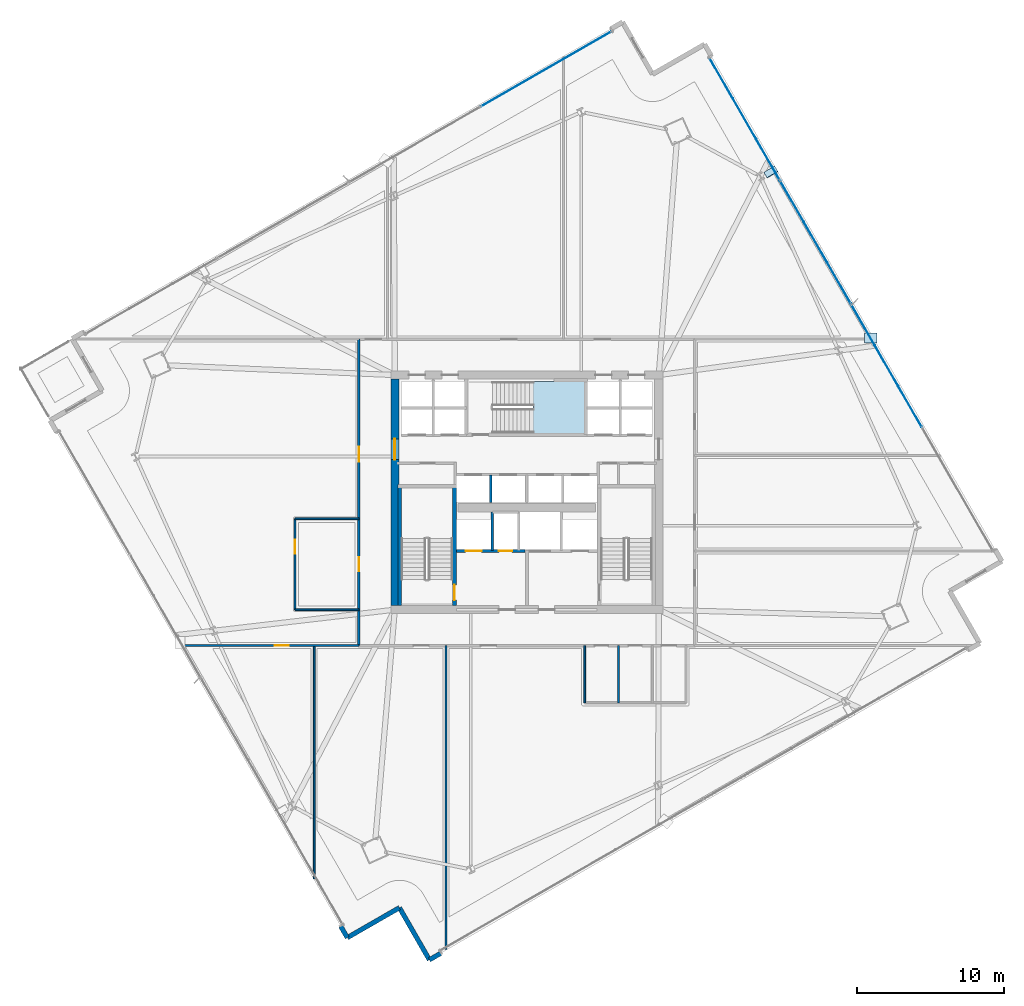
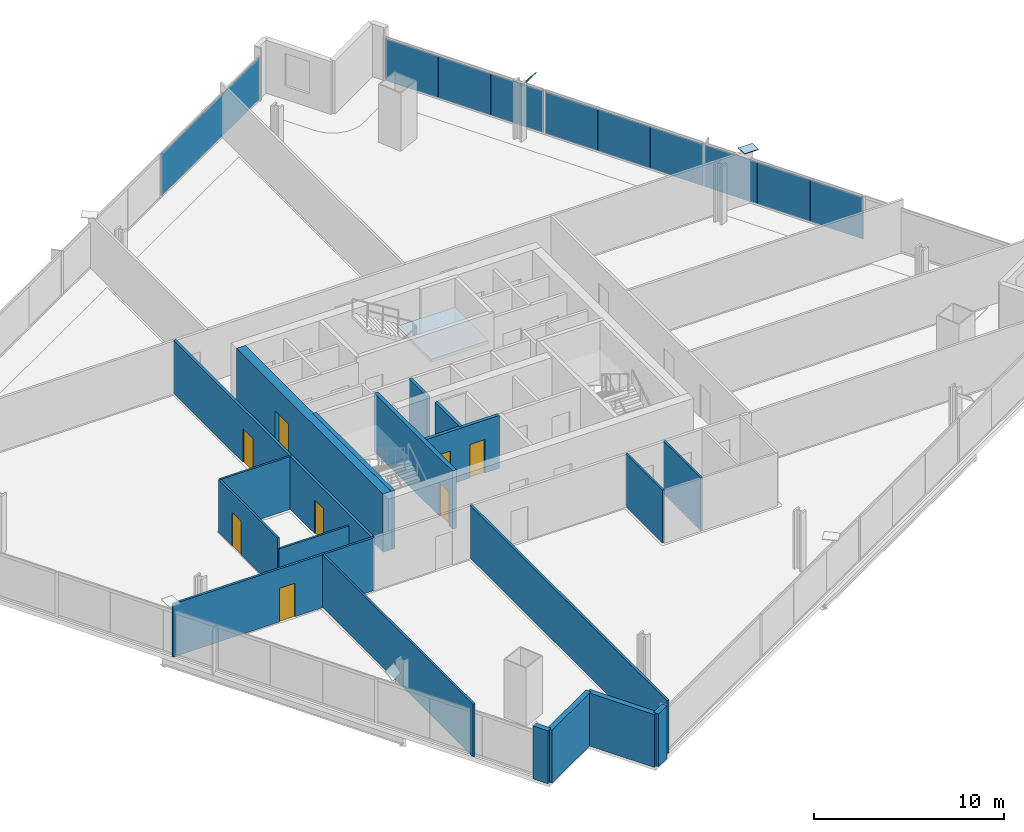
# One storey, part 23 of 33: 19 walls, 12 plates, 8 doors, 1 slab, 8 openings, 3 elements without a shape of their own.
"""IFC4 building model written with IfcOpenShell, lengths in metres."""

from ifc_helpers import new_model, si_unit, direction, frame, frame_2d, origin, origin_2d, place, context, subcontext, project, spatial, polyline, rectangle, outline, extrude, source, transform, mapped, material, layer, layer_set, type_object, element, fill, aggregate, save


model = new_model("IFC4")

# Units and contexts
model_context = context("Model", 3, precision=1e-05, world=origin(), true_north=direction((0.0, 1.0)))
body_context = subcontext(model_context, "Body", "Model", "MODEL_VIEW")
ifc_project = project(units=[si_unit("LENGTHUNIT", "METRE"), si_unit("AREAUNIT", "SQUARE_METRE"), si_unit("VOLUMEUNIT", "CUBIC_METRE"), si_unit("PLANEANGLEUNIT", "RADIAN"), si_unit("MASSUNIT", "GRAM", prefix="KILO")], contexts=[model_context])

# Site, building, storey
site_placement = place(None, origin())
site = spatial("IfcSite", under=ifc_project, at=site_placement, CompositionType="ELEMENT")
building_placement = place(site_placement, origin())
building = spatial("IfcBuilding", under=site, at=building_placement, Name="Haldenkirk Collegiate Tower", CompositionType="ELEMENT")
storey_placement = place(building_placement, frame((0.0, 0.0, 127.949951171875)))
storey = spatial("IfcBuildingStorey", under=building, at=storey_placement, Name="L31", CompositionType="ELEMENT", Elevation=127.949951171875)

# Stair, slab
ifc_material_1 = material(Name="Concrete f'c 40 MPa", Category="concrete")
stair_type = type_object("IfcStairType", Name="STR-DOGLEG-1650", PredefinedType="HALF_TURN_STAIR", material=ifc_material_1)
stair_placement = place(storey_placement, origin())
stair = element("IfcStair", 1, at=stair_placement, inside=storey, type_object=stair_type, Name="L31 Core Exit Stair ST-3", PredefinedType="HALF_TURN_STAIR")
ifc_layer_1 = layer(ifc_material_1, 0.199951171875)
ifc_layer_set_1 = layer_set([ifc_layer_1], Name="Concrete f'c 40 MPa")
slab_type = type_object("IfcSlabType", Name="SLB-LANDING-200", PredefinedType="LANDING", material=ifc_layer_set_1)
slab_placement = place(storey_placement, frame((0.0, 0.0, 1.675048828125)))
slab = element("IfcSlab", 2, at=slab_placement, type_object=slab_type, Name="ST-3 landing 1", PredefinedType="LANDING", context=body_context, shape_type="SweptSolid", body=[
    extrude(outline(polyline([(36.425048828125, 30.02490234375), (36.425048828125, 33.574951171875), (39.925048828125, 33.574951171875), (39.925048828125, 30.02490234375), (36.425048828125, 30.02490234375)])), origin(), (0.0, 0.0, 1.0), 0.199951171875),
])
aggregate(stair, [slab])

# Plates
ifc_material_2 = material(Name="Steel ASTM A572 Grade 50", Category="steel")
ifc_layer_2 = layer(ifc_material_2, 0.034912109375)
ifc_layer_set_2 = layer_set([ifc_layer_2], Name="Steel ASTM A572 Grade 50")
plate_type_1 = type_object("IfcPlateType", Name="PLT-CAP-EXT-760X600", PredefinedType="USERDEFINED", material=ifc_layer_set_2)
shared_shape_1 = source(origin(), body_context, "Body", "SweptSolid", [
    extrude(rectangle(XDim=0.860107421875, YDim=0.659912109375, at=origin_2d()), origin(), (0.0, 0.0, 1.0), 0.034912109375),
])
for number, where, z_axis, x_axis, name in (
    (3, (59.4638671875, 36.523681640625, 3.38720703125), (0.009017000292, 0.009624000312, 0.99991303238), (0.999959346026, -8.6783142e-05, -0.009016582665), "Perimeter Mega Brace Z2 L29-L31 EL end cap plate 2"),
    (4, (52.654296875, 47.834716796875, 3.38818359375), (-0.386815088251, 0.658394150212, 0.645671147309), (-0.862206412051, -0.50655710736, -3.30097e-07), "Perimeter Mega Brace Z2 L29-L31 ER end cap plate 2"),
):
    element("IfcPlate", number, at=place(storey_placement, frame(where, z_axis=z_axis, x_axis=x_axis)), inside=storey, type_object=plate_type_1, Name=name, ObjectType="END CAP PLATE", PredefinedType="USERDEFINED", context=body_context, shape_type="MappedRepresentation", body=[
        mapped(shared_shape_1, transform((0.0, 0.0, 0.0), x_axis=(1.0, 0.0, 0.0), y_axis=(0.0, 1.0, 0.0), z_axis=(0.0, 0.0, 1.0), scale=1.0)),
    ])

# Curtain wall, plates
ifc_material_3 = material(Name="Anodised architectural bronze aluminium", Category="aluminium")
curtain_wall_type = type_object("IfcCurtainWallType", Name="CW-SYS1-CONVEX-LOW", PredefinedType="USERDEFINED", material=ifc_material_3)
curtain_wall_1_placement = place(storey_placement, origin())
curtain_wall_1 = element("IfcCurtainWall", 5, at=curtain_wall_1_placement, inside=storey, type_object=curtain_wall_type, Name="L31 Lower tower convex bronze-framed unitised curtain wall", ObjectType="UNITISED CURTAIN WALL", PredefinedType="USERDEFINED")
ifc_material_4 = material(Name="Low-E argon triple insulating glass", Category="glass")
ifc_layer_3 = layer(ifc_material_4, 0.0439453125)
ifc_layer_set_3 = layer_set([ifc_layer_3], Name="Low-E argon triple insulating glass")
plate_type_2 = type_object("IfcPlateType", Name="CW-PNL-1A", PredefinedType="CURTAIN_PANEL", material=ifc_layer_set_3)
shared_shape_2 = source(origin(), body_context, "Body", "SweptSolid", [
    extrude(rectangle(XDim=3.18701171875, YDim=0.0439453125, at=origin_2d()), origin(), (0.0, 0.0, 1.0), 2.69091796875),
])
plate_1_placement = place(storey_placement, frame((49.25537109375, 54.243408203125, 0.080078125), z_axis=(0.0, 0.0, 1.0), x_axis=(0.498489586061, -0.866895687259, 0.0)))
plate_1 = element("IfcPlate", 6, at=plate_1_placement, type_object=plate_type_2, Name="CW-1A panel 1.1a", PredefinedType="CURTAIN_PANEL", context=body_context, shape_type="MappedRepresentation", body=[
    mapped(shared_shape_2, transform((0.0, 0.0, 0.0), x_axis=(1.0, 0.0, 0.0), y_axis=(0.0, 1.0, 0.0), z_axis=(0.0, 0.0, 1.0), scale=1.0)),
])
ifc_material_5 = material(Name="Bronze-anodised insulated aluminium spandrel panel", Category="aluminium")
ifc_layer_4 = layer(ifc_material_5, 0.0439453125)
ifc_layer_set_4 = layer_set([ifc_layer_4], Name="Bronze-anodised insulated aluminium spandrel panel")
plate_type_3 = type_object("IfcPlateType", Name="CW-SPD-1A", PredefinedType="CURTAIN_PANEL", material=ifc_layer_set_4)
plate_2_placement = place(storey_placement, frame((52.451416015625, 48.685302734375, 0.080078125), z_axis=(0.0, 0.0, 1.0), x_axis=(0.498489586061, -0.866895687259, 0.0)))
plate_2 = element("IfcPlate", 7, at=plate_2_placement, type_object=plate_type_3, Name="CW-1A spandrel panel 1.1c", PredefinedType="CURTAIN_PANEL", context=body_context, shape_type="MappedRepresentation", body=[
    mapped(shared_shape_2, transform((0.0, 0.0, 0.0), x_axis=(1.0, 0.0, 0.0), y_axis=(0.0, 1.0, 0.0), z_axis=(0.0, 0.0, 1.0), scale=1.0)),
])
shared_shape_3 = source(origin(), body_context, "Body", "SweptSolid", [
    extrude(rectangle(XDim=3.174560546875, YDim=0.0439453125, at=origin_2d()), origin(), (0.0, 0.0, 1.0), 2.69091796875),
])
plate_3_placement = place(storey_placement, frame((50.853515625, 51.46435546875, 0.080078125), z_axis=(0.0, 0.0, 1.0), x_axis=(0.498489586061, -0.866895687259, 0.0)))
plate_3 = element("IfcPlate", 8, at=plate_3_placement, type_object=plate_type_2, Name="CW-1A panel 1.1b", PredefinedType="CURTAIN_PANEL", context=body_context, shape_type="MappedRepresentation", body=[
    mapped(shared_shape_3, transform((0.0, 0.0, 0.0), x_axis=(1.0, 0.0, 0.0), y_axis=(0.0, 1.0, 0.0), z_axis=(0.0, 0.0, 1.0), scale=1.0)),
])
shared_shape_4 = source(origin(), body_context, "Body", "SweptSolid", [
    extrude(rectangle(XDim=3.200439453125, YDim=0.0439453125, at=origin_2d()), origin(), (0.0, 0.0, 1.0), 2.69091796875),
])
plate_4_placement = place(storey_placement, frame((54.08349609375, 45.84716796875, 0.080078125), z_axis=(0.0, 0.0, 1.0), x_axis=(0.498489586061, -0.866895687259, 0.0)))
plate_4 = element("IfcPlate", 9, at=plate_4_placement, type_object=plate_type_3, Name="CW-1A spandrel panel 2.1a", PredefinedType="CURTAIN_PANEL", context=body_context, shape_type="MappedRepresentation", body=[
    mapped(shared_shape_4, transform((0.0, 0.0, 0.0), x_axis=(1.0, 0.0, 0.0), y_axis=(0.0, 1.0, 0.0), z_axis=(0.0, 0.0, 1.0), scale=1.0)),
])
plate_5_placement = place(storey_placement, frame((57.29296875, 40.265869140625, 0.080078125), z_axis=(0.0, 0.0, 1.0), x_axis=(0.498489586061, -0.866895687259, 0.0)))
plate_5 = element("IfcPlate", 10, at=plate_5_placement, type_object=plate_type_2, Name="CW-1A panel 2.1c", PredefinedType="CURTAIN_PANEL", context=body_context, shape_type="MappedRepresentation", body=[
    mapped(shared_shape_4, transform((0.0, 0.0, 0.0), x_axis=(1.0, 0.0, 0.0), y_axis=(0.0, 1.0, 0.0), z_axis=(0.0, 0.0, 1.0), scale=1.0)),
])
plate_6_placement = place(storey_placement, frame((58.927978515625, 37.422119140625, 0.080078125), z_axis=(0.0, 0.0, 1.0), x_axis=(0.498489586061, -0.866895687259, 0.0)))
plate_6 = element("IfcPlate", 11, at=plate_6_placement, type_object=plate_type_3, Name="CW-1A spandrel panel 3.1a", PredefinedType="CURTAIN_PANEL", context=body_context, shape_type="MappedRepresentation", body=[
    mapped(shared_shape_4, transform((0.0, 0.0, 0.0), x_axis=(1.0, 0.0, 0.0), y_axis=(0.0, 1.0, 0.0), z_axis=(0.0, 0.0, 1.0), scale=1.0)),
])
plate_7_placement = place(storey_placement, frame((62.1376953125, 31.840576171875, 0.080078125), z_axis=(0.0, 0.0, 1.0), x_axis=(0.498489586061, -0.866895687259, 0.0)))
plate_7 = element("IfcPlate", 12, at=plate_7_placement, type_object=plate_type_2, Name="CW-1A panel 3.1c", PredefinedType="CURTAIN_PANEL", context=body_context, shape_type="MappedRepresentation", body=[
    mapped(shared_shape_4, transform((0.0, 0.0, 0.0), x_axis=(1.0, 0.0, 0.0), y_axis=(0.0, 1.0, 0.0), z_axis=(0.0, 0.0, 1.0), scale=1.0)),
])
shared_shape_5 = source(origin(), body_context, "Body", "SweptSolid", [
    extrude(rectangle(XDim=3.18798828125, YDim=0.0439453125, at=origin_2d()), origin(), (0.0, 0.0, 1.0), 2.69091796875),
])
plate_8_placement = place(storey_placement, frame((55.688232421875, 43.056396484375, 0.080078125), z_axis=(0.0, 0.0, 1.0), x_axis=(0.498489586061, -0.866895687259, 0.0)))
plate_8 = element("IfcPlate", 13, at=plate_8_placement, type_object=plate_type_3, Name="CW-1A spandrel panel 2.1b", PredefinedType="CURTAIN_PANEL", context=body_context, shape_type="MappedRepresentation", body=[
    mapped(shared_shape_5, transform((0.0, 0.0, 0.0), x_axis=(1.0, 0.0, 0.0), y_axis=(0.0, 1.0, 0.0), z_axis=(0.0, 0.0, 1.0), scale=1.0)),
])
plate_9_placement = place(storey_placement, frame((60.53271484375, 34.63134765625, 0.080078125), z_axis=(0.0, 0.0, 1.0), x_axis=(0.498489586061, -0.866895687259, 0.0)))
plate_9 = element("IfcPlate", 14, at=plate_9_placement, type_object=plate_type_2, Name="CW-1A panel 3.1b", PredefinedType="CURTAIN_PANEL", context=body_context, shape_type="MappedRepresentation", body=[
    mapped(shared_shape_5, transform((0.0, 0.0, 0.0), x_axis=(1.0, 0.0, 0.0), y_axis=(0.0, 1.0, 0.0), z_axis=(0.0, 0.0, 1.0), scale=1.0)),
])
aggregate(curtain_wall_1, [plate_1, plate_3, plate_2, plate_4, plate_8, plate_5, plate_6, plate_9, plate_7])

# Curtain wall, plate
curtain_wall_2_placement = place(storey_placement, origin())
curtain_wall_2 = element("IfcCurtainWall", 15, at=curtain_wall_2_placement, inside=storey, type_object=curtain_wall_type, Name="L31 Lower tower convex bronze-framed unitised curtain wall", ObjectType="UNITISED CURTAIN WALL", PredefinedType="USERDEFINED")
shared_shape_6 = source(origin(), body_context, "Body", "SweptSolid", [
    extrude(rectangle(XDim=10.2548828125, YDim=0.0439453125, at=origin_2d()), origin(), (0.0, 0.0, 1.0), 2.69091796875),
])
plate_10_placement = place(storey_placement, frame((37.325439453125, 54.8740234375, 0.080078125), z_axis=(0.0, 0.0, 1.0), x_axis=(0.866896046355, 0.498488961578, 0.0)))
plate_10 = element("IfcPlate", 16, at=plate_10_placement, type_object=plate_type_2, Name="CW-1A panel 4.1", PredefinedType="CURTAIN_PANEL", context=body_context, shape_type="MappedRepresentation", body=[
    mapped(shared_shape_6, transform((0.0, 0.0, 0.0), x_axis=(1.0, 0.0, 0.0), y_axis=(0.0, 1.0, 0.0), z_axis=(0.0, 0.0, 1.0), scale=1.0)),
])
aggregate(curtain_wall_2, [plate_10])

# Wall, opening, door
ifc_material_6 = material(Name="Concrete f'c 70 MPa", Category="concrete")
ifc_layer_5 = layer(ifc_material_6, 0.550048828125)
ifc_layer_set_5 = layer_set([ifc_layer_5], Name="Concrete f'c 70 MPa")
wall_type_1 = type_object("IfcWallType", Name="WL-CORE-550", PredefinedType="SHEAR", material=ifc_layer_set_5)
wall_1_placement = place(storey_placement, frame((27.0, 18.27490234375, 0.0), z_axis=(0.0, 0.0, 1.0), x_axis=(0.0, 1.0, 0.0)))
wall_1 = element("IfcWall", 17, at=wall_1_placement, inside=storey, type_object=wall_type_1, Name="L31 central core shear wall W", PredefinedType="SHEAR", context=body_context, shape_type="SweptSolid", body=[
    extrude(rectangle(XDim=15.4501953125, YDim=0.550048828125, at=frame_2d((7.72509765625, 0.0))), origin(), (0.0, 0.0, 1.0), 3.75),
])
opening_1_placement = place(wall_1_placement, frame((9.965087890625, 0.0, 0.0)))
opening_1 = element("IfcOpeningElement", 18, at=opening_1_placement, cuts=wall_1, Name="Opening D-03", PredefinedType="OPENING", context=body_context, shape_type="SweptSolid", body=[
    extrude(rectangle(XDim=1.39990234375, YDim=2.199951171875, at=frame_2d((0.699951171875, 1.10009765625))), frame((0.0, 0.284912109375, 0.0), z_axis=(0.0, -1.0, 0.0), x_axis=(1.0, 0.0, 0.0)), (0.0, 0.0, 1.0), 0.570068359375),
])
ifc_material_7 = material(Name="Galvanized fire-rated hollow steel door", Category="steel")
ifc_layer_6 = layer(ifc_material_7, 0.06005859375)
ifc_layer_set_6 = layer_set([ifc_layer_6], Name="Galvanized fire-rated hollow steel door")
door_type_1 = type_object("IfcDoorType", Name="DR-LOBBY-FD90-1400", OperationType="NOTDEFINED", PredefinedType="DOOR", material=ifc_layer_set_6)
door_1_placement = place(opening_1_placement, origin())
door_1 = element("IfcDoor", 19, at=door_1_placement, inside=storey, type_object=door_type_1, Name="L31 west lift lobby portal", OperationType="DOUBLE_DOOR_SINGLE_SWING", OverallHeight=2.199951171875, OverallWidth=1.39990234375, PredefinedType="DOOR", context=body_context, shape_type="SweptSolid", body=[
    extrude(rectangle(XDim=1.39990234375, YDim=2.199951171875, at=frame_2d((0.699951171875, 1.10009765625))), frame((0.0, 0.02490234375, 0.0), z_axis=(0.0, -1.0, 0.0), x_axis=(1.0, 0.0, 0.0)), (0.0, 0.0, 1.0), 0.050048828125),
])
fill(opening_1, door_1)

# Walls
ifc_material_8 = material(Name="Precast concrete f'c 40 MPa", Category="concrete")
ifc_layer_7 = layer(ifc_material_8, 0.320068359375)
ifc_layer_set_7 = layer_set([ifc_layer_7], Name="Precast concrete f'c 40 MPa")
wall_type_2 = type_object("IfcWallType", Name="WL-EXT-TWR-320", PredefinedType="STANDARD", material=ifc_layer_set_7)
wall_2_placement = place(storey_placement, frame((30.1376953125, -5.430908203125, 0.0), z_axis=(0.0, 0.0, 1.0), x_axis=(-0.866988348512, -0.498328409329, 0.0)))
element("IfcWall", 20, at=wall_2_placement, inside=storey, type_object=wall_type_2, Name="L31 precast corner pier SR", PredefinedType="STANDARD", context=body_context, shape_type="SweptSolid", body=[
    extrude(rectangle(XDim=0.89990234375, YDim=0.320068359375, at=frame_2d((0.449951171875, 0.0))), origin(), (0.0, 0.0, 1.0), 3.400146484375),
])
wall_3_placement = place(storey_placement, frame((23.75927734375, -4.368896484375, 0.0), z_axis=(0.0, 0.0, 1.0), x_axis=(-0.498445634445, 0.866920959201, 0.0)))
element("IfcWall", 21, at=wall_3_placement, inside=storey, type_object=wall_type_2, Name="L31 precast corner pier WL", PredefinedType="STANDARD", context=body_context, shape_type="SweptSolid", body=[
    extrude(rectangle(XDim=0.899658203125, YDim=0.320068359375, at=frame_2d((0.44970703125, 0.0))), origin(), (0.0, 0.0, 1.0), 3.400146484375),
])
wall_4_placement = place(storey_placement, frame((27.313720703125, -2.3251953125, 0.0), z_axis=(0.0, 0.0, 1.0), x_axis=(-0.866917238564, -0.498452105503, 0.0)))
element("IfcWall", 22, at=wall_4_placement, inside=storey, type_object=wall_type_2, Name="L31 bronze precast notch wall 11", PredefinedType="STANDARD", context=body_context, shape_type="SweptSolid", body=[
    extrude(rectangle(XDim=4.10009765625, YDim=0.320068359375, at=frame_2d((2.050048828125, 0.0))), origin(), (0.0, 0.0, 1.0), 3.400146484375),
])
wall_5_placement = place(storey_placement, frame((29.357421875, -5.87939453125, 0.0), z_axis=(0.0, 0.0, 1.0), x_axis=(-0.498477837049, 0.866902443168, 0.0)))
element("IfcWall", 23, at=wall_5_placement, inside=storey, type_object=wall_type_2, Name="L31 bronze precast notch wall 12", PredefinedType="STANDARD", context=body_context, shape_type="SweptSolid", body=[
    extrude(rectangle(XDim=4.099853515625, YDim=0.320068359375, at=frame_2d((2.0498046875, 0.0))), origin(), (0.0, 0.0, 1.0), 3.400146484375),
])

# Wall, openings, doors
ifc_material_9 = material(Name="Acoustic fire-rated gypsum partition", Category="concrete")
ifc_layer_8 = layer(ifc_material_9, 0.159912109375)
ifc_layer_set_8 = layer_set([ifc_layer_8], Name="Acoustic fire-rated gypsum partition")
wall_type_3 = type_object("IfcWallType", Name="WL-INT-CORR-160", PredefinedType="PARTITIONING", material=ifc_layer_set_8)
wall_6_placement = place(storey_placement, frame((24.550048828125, 15.550048828125, 0.0), z_axis=(0.0, 0.0, 1.0), x_axis=(0.0, 1.0, 0.0)))
wall_6 = element("IfcWall", 24, at=wall_6_placement, inside=storey, type_object=wall_type_3, Name="L31 interior partition IW-L31-CW", PredefinedType="PARTITIONING", context=body_context, shape_type="SweptSolid", body=[
    extrude(rectangle(XDim=20.89990234375, YDim=0.159912109375, at=frame_2d((10.449951171875, 0.0))), origin(), (0.0, 0.0, 1.0), 3.400146484375),
])
opening_2_placement = place(wall_6_placement, frame((5.074951171875, 0.0, 0.0)))
opening_2 = element("IfcOpeningElement", 25, at=opening_2_placement, cuts=wall_6, Name="Opening D-10", PredefinedType="OPENING", context=body_context, shape_type="SweptSolid", body=[
    extrude(rectangle(XDim=0.949951171875, YDim=2.14990234375, at=frame_2d((0.47509765625, 1.074951171875))), frame((0.0, 0.08984375, 0.0), z_axis=(0.0, -1.0, 0.0), x_axis=(1.0, 0.0, 0.0)), (0.0, 0.0, 1.0), 0.179931640625),
])
opening_3_placement = place(wall_6_placement, frame((12.52392578125, 0.0, 0.0)))
opening_3 = element("IfcOpeningElement", 26, at=opening_3_placement, cuts=wall_6, Name="Opening D-09", PredefinedType="OPENING", context=body_context, shape_type="SweptSolid", body=[
    extrude(rectangle(XDim=1.050048828125, YDim=2.14990234375, at=frame_2d((0.52490234375, 1.074951171875))), frame((0.0, 0.08984375, 0.0), z_axis=(0.0, -1.0, 0.0), x_axis=(1.0, 0.0, 0.0)), (0.0, 0.0, 1.0), 0.179931640625),
])
ifc_material_10 = material(Name="Solid-core architectural oak fire door", Category="wood")
ifc_layer_9 = layer(ifc_material_10, 0.06005859375)
ifc_layer_set_9 = layer_set([ifc_layer_9], Name="Solid-core architectural oak fire door")
door_type_2 = type_object("IfcDoorType", Name="DR-INT-FD60-1050", OperationType="NOTDEFINED", PredefinedType="DOOR", material=ifc_layer_set_9)
door_2_placement = place(opening_3_placement, origin())
door_2 = element("IfcDoor", 27, at=door_2_placement, inside=storey, type_object=door_type_2, Name="L31 Student Wellness Clinic 7 door", OperationType="SINGLE_SWING_RIGHT", OverallHeight=2.14990234375, OverallWidth=1.050048828125, PredefinedType="DOOR", context=body_context, shape_type="SweptSolid", body=[
    extrude(rectangle(XDim=1.050048828125, YDim=2.14990234375, at=frame_2d((0.52490234375, 1.074951171875))), frame((0.0, 0.02490234375, 0.0), z_axis=(0.0, -1.0, 0.0), x_axis=(1.0, 0.0, 0.0)), (0.0, 0.0, 1.0), 0.050048828125),
])
fill(opening_3, door_2)
ifc_layer_10 = layer(ifc_material_10, 0.06005859375)
ifc_layer_set_10 = layer_set([ifc_layer_10], Name="Solid-core architectural oak fire door")
door_type_3 = type_object("IfcDoorType", Name="DR-INT-FD60-950", OperationType="NOTDEFINED", PredefinedType="DOOR", material=ifc_layer_set_10)
door_3_placement = place(opening_2_placement, origin())
door_3 = element("IfcDoor", 28, at=door_3_placement, inside=storey, type_object=door_type_3, Name="L31 West Faculty Tutorial Pod corridor door", OperationType="SINGLE_SWING_RIGHT", OverallHeight=2.14990234375, OverallWidth=0.949951171875, PredefinedType="DOOR", context=body_context, shape_type="SweptSolid", body=[
    extrude(rectangle(XDim=0.949951171875, YDim=2.14990234375, at=frame_2d((0.47509765625, 1.074951171875))), frame((0.0, 0.02490234375, 0.0), z_axis=(0.0, -1.0, 0.0), x_axis=(1.0, 0.0, 0.0)), (0.0, 0.0, 1.0), 0.050048828125),
])
fill(opening_2, door_3)

# Wall, opening, door
ifc_layer_11 = layer(ifc_material_9, 0.139892578125)
ifc_layer_set_11 = layer_set([ifc_layer_11], Name="Acoustic fire-rated gypsum partition")
wall_type_4 = type_object("IfcWallType", Name="WL-INT-DIV-140", PredefinedType="PARTITIONING", material=ifc_layer_set_11)
wall_7_placement = place(storey_placement, frame((12.3515625, 15.550048828125, 0.0), z_axis=(0.0, 0.0, 1.0), x_axis=(1.0, 0.0, 0.0)))
wall_7 = element("IfcWall", 29, at=wall_7_placement, inside=storey, type_object=wall_type_4, Name="L31 interior partition IW-L31-BWS", PredefinedType="PARTITIONING", context=body_context, shape_type="SweptSolid", body=[
    extrude(rectangle(XDim=12.198486328125, YDim=0.139892578125, at=frame_2d((6.09912109375, 0.0))), origin(), (0.0, 0.0, 1.0), 3.400146484375),
])
opening_4_placement = place(wall_7_placement, frame((6.46044921875, 0.0, 0.0)))
opening_4 = element("IfcOpeningElement", 30, at=opening_4_placement, cuts=wall_7, Name="Opening D-12", PredefinedType="OPENING", context=body_context, shape_type="SweptSolid", body=[
    extrude(rectangle(XDim=0.949951171875, YDim=2.14990234375, at=frame_2d((0.47509765625, 1.074951171875))), frame((0.0, 0.079833984375, 0.0), z_axis=(0.0, -1.0, 0.0), x_axis=(1.0, 0.0, 0.0)), (0.0, 0.0, 1.0), 0.159912109375),
])
ifc_layer_12 = layer(ifc_material_10, 0.06005859375)
ifc_layer_set_12 = layer_set([ifc_layer_12], Name="Solid-core architectural oak fire door")
door_type_4 = type_object("IfcDoorType", Name="DR-INT-STD-950", OperationType="NOTDEFINED", PredefinedType="DOOR", material=ifc_layer_set_12)
door_4_placement = place(opening_4_placement, origin())
door_4 = element("IfcDoor", 31, at=door_4_placement, inside=storey, type_object=door_type_4, Name="L31 Student Wellness Clinic 1 door", OperationType="SINGLE_SWING_RIGHT", OverallHeight=2.14990234375, OverallWidth=0.949951171875, PredefinedType="DOOR", context=body_context, shape_type="SweptSolid", body=[
    extrude(rectangle(XDim=0.949951171875, YDim=2.14990234375, at=frame_2d((0.47509765625, 1.074951171875))), frame((0.0, 0.02490234375, 0.0), z_axis=(0.0, -1.0, 0.0), x_axis=(1.0, 0.0, 0.0)), (0.0, 0.0, 1.0), 0.050048828125),
])
fill(opening_4, door_4)

# Walls
wall_8_placement = place(storey_placement, frame((30.5, -5.17626953125, 0.0), z_axis=(0.0, 0.0, 1.0), x_axis=(0.0, 1.0, 0.0)))
element("IfcWall", 32, at=wall_8_placement, inside=storey, type_object=wall_type_4, Name="L31 interior partition IW-L31-RS2", PredefinedType="PARTITIONING", context=body_context, shape_type="SweptSolid", body=[
    extrude(rectangle(XDim=20.726318359375, YDim=0.139892578125, at=frame_2d((10.36328125, 0.0))), origin(), (0.0, 0.0, 1.0), 3.400146484375),
])
ifc_material_11 = material(Name="Fire-rated gypsum shaftboard assembly", Category="concrete")
ifc_layer_13 = layer(ifc_material_11, 0.179931640625)
ifc_layer_set_13 = layer_set([ifc_layer_13], Name="Fire-rated gypsum shaftboard assembly")
wall_type_5 = type_object("IfcWallType", Name="WL-INT-SHAFT-180", PredefinedType="PARTITIONING", material=ifc_layer_set_13)
wall_9_placement = place(storey_placement, frame((33.64990234375, 22.050048828125, 0.0), z_axis=(0.0, 0.0, 1.0), x_axis=(0.0, 1.0, 0.0)))
element("IfcWall", 33, at=wall_9_placement, inside=storey, type_object=wall_type_5, Name="L31 interior partition IW-L31-FL1E", PredefinedType="PARTITIONING", context=body_context, shape_type="SweptSolid", body=[
    extrude(rectangle(XDim=2.599853515625, YDim=0.179931640625, at=frame_2d((1.2998046875, 0.0))), origin(), (0.0, 0.0, 1.0), 3.400146484375),
])
wall_10_placement = place(storey_placement, frame((33.5400390625, 25.300048828125, 0.0), z_axis=(0.0, 0.0, 1.0), x_axis=(0.0, 1.0, 0.0)))
element("IfcWall", 34, at=wall_10_placement, inside=storey, type_object=wall_type_5, Name="L31 interior partition IW-L31-PHV1", PredefinedType="PARTITIONING", context=body_context, shape_type="SweptSolid", body=[
    extrude(rectangle(XDim=1.89990234375, YDim=0.179931640625, at=frame_2d((0.949951171875, 0.0))), origin(), (0.0, 0.0, 1.0), 3.400146484375),
])

# Wall, openings, doors
ifc_layer_14 = layer(ifc_material_11, 0.199951171875)
ifc_layer_set_14 = layer_set([ifc_layer_14], Name="Fire-rated gypsum shaftboard assembly")
wall_type_6 = type_object("IfcWallType", Name="WL-INT-SHAFT-200", PredefinedType="PARTITIONING", material=ifc_layer_set_14)
wall_11_placement = place(storey_placement, frame((31.18994140625, 22.0, 0.0), z_axis=(0.0, 0.0, 1.0), x_axis=(1.0, 0.0, 0.0)))
wall_11 = element("IfcWall", 35, at=wall_11_placement, inside=storey, type_object=wall_type_6, Name="L31 interior partition IW-L31-FFL1N", PredefinedType="PARTITIONING", context=body_context, shape_type="SweptSolid", body=[
    extrude(rectangle(XDim=4.68994140625, YDim=0.199951171875, at=frame_2d((2.344970703125, 0.0))), origin(), (0.0, 0.0, 1.0), 3.400146484375),
])
opening_5_placement = place(wall_11_placement, frame((2.909912109375, 0.0, 0.0)))
opening_5 = element("IfcOpeningElement", 36, at=opening_5_placement, cuts=wall_11, Name="Opening D-06", PredefinedType="OPENING", context=body_context, shape_type="SweptSolid", body=[
    extrude(rectangle(XDim=0.89990234375, YDim=2.14990234375, at=frame_2d((0.449951171875, 1.074951171875))), frame((0.0, 0.10986328125, 0.0), z_axis=(0.0, -1.0, 0.0), x_axis=(1.0, 0.0, 0.0)), (0.0, 0.0, 1.0), 0.219970703125),
])
opening_6_placement = place(wall_11_placement, frame((0.635009765625, 0.0, 0.0)))
opening_6 = element("IfcOpeningElement", 37, at=opening_6_placement, cuts=wall_11, Name="Opening LD-12", PredefinedType="OPENING", context=body_context, shape_type="SweptSolid", body=[
    extrude(rectangle(XDim=1.10009765625, YDim=2.14990234375, at=frame_2d((0.550048828125, 1.074951171875))), frame((0.0, 0.10986328125, 0.0), z_axis=(0.0, -1.0, 0.0), x_axis=(1.0, 0.0, 0.0)), (0.0, 0.0, 1.0), 0.219970703125),
])
ifc_layer_15 = layer(ifc_material_7, 0.06005859375)
ifc_layer_set_15 = layer_set([ifc_layer_15], Name="Galvanized fire-rated hollow steel door")
door_type_5 = type_object("IfcDoorType", Name="DR-INT-FD90-900", OperationType="NOTDEFINED", PredefinedType="DOOR", material=ifc_layer_set_15)
door_5_placement = place(opening_5_placement, origin())
door_5 = element("IfcDoor", 38, at=door_5_placement, inside=storey, type_object=door_type_5, Name="L31 electrical riser door", OperationType="SINGLE_SWING_RIGHT", OverallHeight=2.14990234375, OverallWidth=0.89990234375, PredefinedType="DOOR", context=body_context, shape_type="SweptSolid", body=[
    extrude(rectangle(XDim=0.89990234375, YDim=2.14990234375, at=frame_2d((0.449951171875, 1.074951171875))), frame((0.0, 0.02490234375, 0.0), z_axis=(0.0, -1.0, 0.0), x_axis=(1.0, 0.0, 0.0)), (0.0, 0.0, 1.0), 0.050048828125),
])
fill(opening_5, door_5)
ifc_material_12 = material(Name="Brushed architectural stainless steel", Category="steel")
ifc_layer_16 = layer(ifc_material_12, 0.06005859375)
ifc_layer_set_16 = layer_set([ifc_layer_16], Name="Brushed architectural stainless steel")
door_type_6 = type_object("IfcDoorType", Name="LD-FIRE-1100", OperationType="NOTDEFINED", PredefinedType="DOOR", material=ifc_layer_set_16)
door_6_placement = place(opening_6_placement, origin())
door_6 = element("IfcDoor", 39, at=door_6_placement, inside=storey, type_object=door_type_6, Name="L31 Elevator FL1 sliding landing door", OperationType="SLIDING_TO_LEFT", OverallHeight=2.14990234375, OverallWidth=1.10009765625, PredefinedType="DOOR", context=body_context, shape_type="SweptSolid", body=[
    extrude(rectangle(XDim=1.10009765625, YDim=2.14990234375, at=frame_2d((0.550048828125, 1.074951171875))), frame((0.0, 0.02490234375, 0.0), z_axis=(0.0, -1.0, 0.0), x_axis=(1.0, 0.0, 0.0)), (0.0, 0.0, 1.0), 0.050048828125),
])
fill(opening_6, door_6)

# Walls
ifc_layer_17 = layer(ifc_material_9, 0.1201171875)
ifc_layer_set_17 = layer_set([ifc_layer_17], Name="Acoustic fire-rated gypsum partition")
wall_type_7 = type_object("IfcWallType", Name="WL-INT-WET-120", PredefinedType="PARTITIONING", material=ifc_layer_set_17)
for number, where, z_axis, x_axis, name in (
    (40, (39.949951171875, 11.64990234375, 0.0), (0.0, 0.0, 1.0), (0.0, 1.0, 0.0), "L31 interior partition IW-L31-WCW"),
    (41, (42.25, 11.64990234375, 0.0), (0.0, 0.0, 1.0), (0.0, 1.0, 0.0), "L31 interior partition IW-L31-WC1"),
):
    element("IfcWall", number, at=place(storey_placement, frame(where, z_axis=z_axis, x_axis=x_axis)), inside=storey, type_object=wall_type_7, Name=name, PredefinedType="PARTITIONING", context=body_context, shape_type="SweptSolid", body=[
        extrude(rectangle(XDim=3.900146484375, YDim=0.1201171875, at=frame_2d((1.9501953125, 0.0))), origin(), (0.0, 0.0, 1.0), 3.400146484375),
    ])
wall_12_placement = place(storey_placement, frame((21.5, -0.359619140625, 0.0), z_axis=(0.0, 0.0, 1.0), x_axis=(0.0, 1.0, 0.0)))
element("IfcWall", 42, at=wall_12_placement, inside=storey, type_object=wall_type_7, Name="L31 interior partition IW-L31-RS1", PredefinedType="PARTITIONING", context=body_context, shape_type="SweptSolid", body=[
    extrude(rectangle(XDim=15.90966796875, YDim=0.1201171875, at=frame_2d((7.954833984375, 0.0))), origin(), (0.0, 0.0, 1.0), 3.400146484375),
])
wall_13_placement = place(storey_placement, frame((20.199951171875, 18.0, 0.0), z_axis=(0.0, 0.0, 1.0), x_axis=(1.0, 0.0, 0.0)))
element("IfcWall", 43, at=wall_13_placement, inside=storey, type_object=wall_type_7, Name="L31 interior partition IW-L31-SUBWS", PredefinedType="PARTITIONING", context=body_context, shape_type="SweptSolid", body=[
    extrude(rectangle(XDim=4.35009765625, YDim=0.1201171875, at=frame_2d((2.175048828125, 0.0))), origin(), (0.0, 0.0, 1.0), 2.698974609375),
])

# Wall, opening, door
wall_14_placement = place(storey_placement, frame((20.199951171875, 18.0, 0.0), z_axis=(0.0, 0.0, 1.0), x_axis=(0.0, 1.0, 0.0)))
wall_14 = element("IfcWall", 44, at=wall_14_placement, inside=storey, type_object=wall_type_7, Name="L31 interior partition IW-L31-SUBW", PredefinedType="PARTITIONING", context=body_context, shape_type="SweptSolid", body=[
    extrude(rectangle(XDim=6.199951171875, YDim=0.1201171875, at=frame_2d((3.10009765625, 0.0))), origin(), (0.0, 0.0, 1.0), 3.400146484375),
])
opening_7_placement = place(wall_14_placement, frame((3.824951171875, 0.0, 0.0)))
opening_7 = element("IfcOpeningElement", 45, at=opening_7_placement, cuts=wall_14, Name="Opening D-12", PredefinedType="OPENING", context=body_context, shape_type="SweptSolid", body=[
    extrude(rectangle(XDim=0.949951171875, YDim=2.14990234375, at=frame_2d((0.47509765625, 1.074951171875))), frame((0.0, 0.070068359375, 0.0), z_axis=(0.0, -1.0, 0.0), x_axis=(1.0, 0.0, 0.0)), (0.0, 0.0, 1.0), 0.14013671875),
])
door_7_placement = place(opening_7_placement, origin())
door_7 = element("IfcDoor", 46, at=door_7_placement, inside=storey, type_object=door_type_4, Name="L31 West Faculty Tutorial Pod suite door", OperationType="SINGLE_SWING_LEFT", OverallHeight=2.14990234375, OverallWidth=0.949951171875, PredefinedType="DOOR", context=body_context, shape_type="SweptSolid", body=[
    extrude(rectangle(XDim=0.949951171875, YDim=2.14990234375, at=frame_2d((0.47509765625, 1.074951171875))), frame((0.0, 0.02490234375, 0.0), z_axis=(0.0, -1.0, 0.0), x_axis=(1.0, 0.0, 0.0)), (0.0, 0.0, 1.0), 0.050048828125),
])
fill(opening_7, door_7)

# Wall
wall_15_placement = place(storey_placement, frame((20.199951171875, 24.199951171875, 0.0), z_axis=(0.0, 0.0, 1.0), x_axis=(1.0, 0.0, 0.0)))
element("IfcWall", 47, at=wall_15_placement, inside=storey, type_object=wall_type_7, Name="L31 interior partition IW-L31-SUBWN", PredefinedType="PARTITIONING", context=body_context, shape_type="SweptSolid", body=[
    extrude(rectangle(XDim=4.35009765625, YDim=0.1201171875, at=frame_2d((2.175048828125, 0.0))), origin(), (0.0, 0.0, 1.0), 3.400146484375),
])

# Wall, opening, door
ifc_material_13 = material(Name="Concrete f'c 55 MPa", Category="concrete")
ifc_layer_18 = layer(ifc_material_13, 0.239990234375)
ifc_layer_set_18 = layer_set([ifc_layer_18], Name="Concrete f'c 55 MPa")
wall_type_8 = type_object("IfcWallType", Name="WL-SHAFT-240", PredefinedType="SHEAR", material=ifc_layer_set_18)
wall_16_placement = place(storey_placement, frame((31.070068359375, 18.280029296875, 0.0), z_axis=(0.0, 0.0, 1.0), x_axis=(0.0, 1.0, 0.0)))
wall_16 = element("IfcWall", 48, at=wall_16_placement, inside=storey, type_object=wall_type_8, Name="L31 stair shaft shear wall SW-L31-ST1E", PredefinedType="SHEAR", context=body_context, shape_type="SweptSolid", body=[
    extrude(rectangle(XDim=8.260009765625, YDim=0.239990234375, at=frame_2d((4.1298828125, 0.0))), origin(), (0.0, 0.0, 1.0), 3.75),
])
opening_8_placement = place(wall_16_placement, frame((0.364990234375, 0.0, 0.0)))
opening_8 = element("IfcOpeningElement", 49, at=opening_8_placement, cuts=wall_16, Name="Opening D-01", PredefinedType="OPENING", context=body_context, shape_type="SweptSolid", body=[
    extrude(rectangle(XDim=1.050048828125, YDim=2.14990234375, at=frame_2d((0.52490234375, 1.074951171875))), frame((0.0, 0.1298828125, 0.0), z_axis=(0.0, -1.0, 0.0), x_axis=(1.0, 0.0, 0.0)), (0.0, 0.0, 1.0), 0.260009765625),
])
ifc_layer_19 = layer(ifc_material_7, 0.06005859375)
ifc_layer_set_19 = layer_set([ifc_layer_19], Name="Galvanized fire-rated hollow steel door")
door_type_7 = type_object("IfcDoorType", Name="DR-STAIR-FD90-1050", OperationType="NOTDEFINED", PredefinedType="DOOR", material=ifc_layer_set_19)
door_8_placement = place(opening_8_placement, origin())
door_8 = element("IfcDoor", 50, at=door_8_placement, inside=storey, type_object=door_type_7, Name="L31 Stair 1 door", OperationType="SINGLE_SWING_LEFT", OverallHeight=2.14990234375, OverallWidth=1.050048828125, PredefinedType="DOOR", context=body_context, shape_type="SweptSolid", body=[
    extrude(rectangle(XDim=1.050048828125, YDim=2.14990234375, at=frame_2d((0.52490234375, 1.074951171875))), frame((0.0, 0.02490234375, 0.0), z_axis=(0.0, -1.0, 0.0), x_axis=(1.0, 0.0, 0.0)), (0.0, 0.0, 1.0), 0.050048828125),
])
fill(opening_8, door_8)

# Wall
wall_17_placement = place(storey_placement, frame((27.330078125, 18.280029296875, 0.0), z_axis=(0.0, 0.0, 1.0), x_axis=(0.0, 1.0, 0.0)))
element("IfcWall", 51, at=wall_17_placement, inside=storey, type_object=wall_type_8, Name="L31 stair shaft shear wall SW-L31-ST1W", PredefinedType="SHEAR", context=body_context, shape_type="SweptSolid", body=[
    extrude(rectangle(XDim=8.260009765625, YDim=0.239990234375, at=frame_2d((4.1298828125, 0.0))), origin(), (0.0, 0.0, 1.0), 3.75),
])

save(model, "model.ifc")
